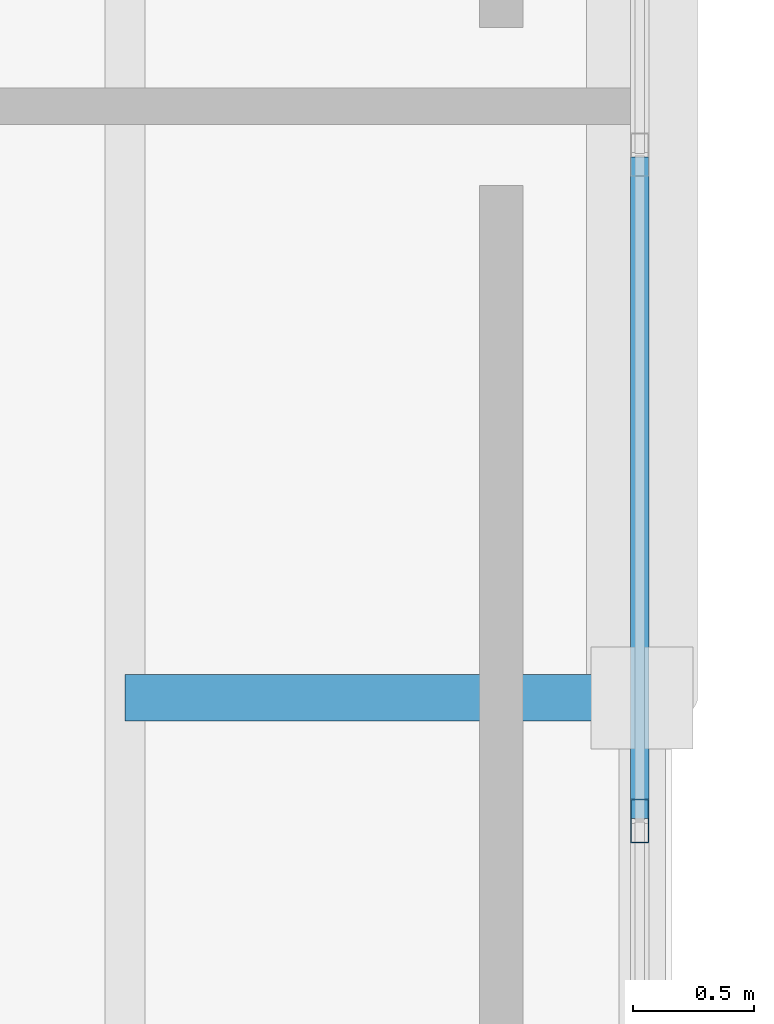
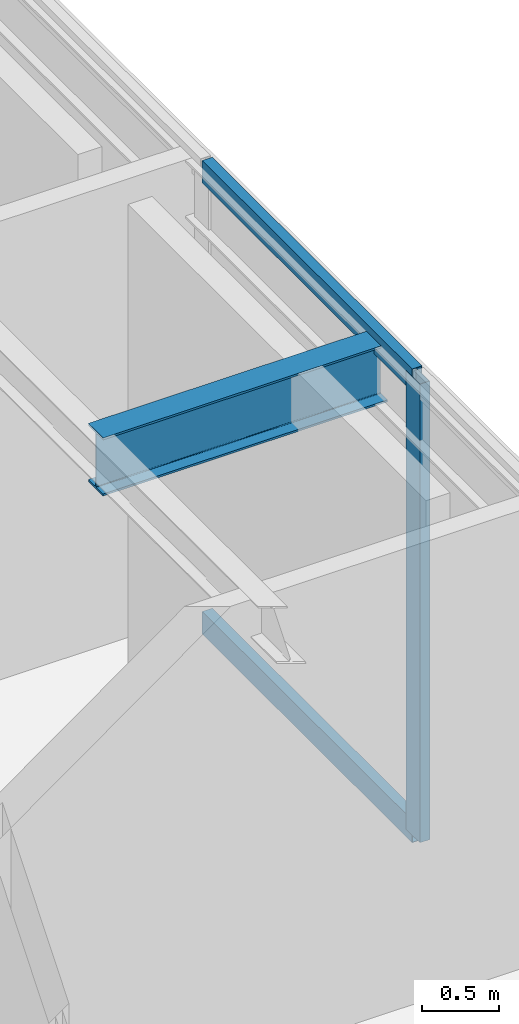
# One storey, part 6 of 18: 3 members, 1 beam, 1 element without a shape of its own.
"""IFC4 building model written with IfcOpenShell, lengths in metres."""

from ifc_helpers import new_model, si_unit, direction, frame, origin, origin_2d, place, context, subcontext, project, spatial, hollow_rectangle, i_section, extrude, material, material_profile, profile_set, type_object, element, aggregate, save


model = new_model("IFC4")

# Units and contexts
model_context = context("Model", 3, precision=1e-05, world=origin(), true_north=direction((0.0, 1.0)))
body_context = subcontext(model_context, "Body", "Model", "MODEL_VIEW")
ifc_project = project(units=[si_unit("LENGTHUNIT", "METRE"), si_unit("AREAUNIT", "SQUARE_METRE"), si_unit("VOLUMEUNIT", "CUBIC_METRE"), si_unit("PLANEANGLEUNIT", "RADIAN"), si_unit("MASSUNIT", "GRAM", prefix="KILO")], contexts=[model_context])

# Site, building, storey
site_placement = place(None, origin())
site = spatial("IfcSite", under=ifc_project, at=site_placement, CompositionType="ELEMENT")
building_placement = place(site_placement, origin())
building = spatial("IfcBuilding", under=site, at=building_placement, Name="Ventersveld Concourse Tower", CompositionType="ELEMENT")
storey_placement = place(building_placement, frame((0.0, 0.0, 341.35009765625)))
storey = spatial("IfcBuildingStorey", under=building, at=storey_placement, Name="L84", CompositionType="ELEMENT", Elevation=341.35009765625)

# Curtain wall, members
ifc_material_1 = material(Name="Anodised aluminium EN AW-6063-T6", Category="aluminium")
curtain_wall_type = type_object("IfcCurtainWallType", Name="CW-WP-5", PredefinedType="NOTDEFINED", material=ifc_material_1)
curtain_wall_placement = place(storey_placement, origin())
curtain_wall = element("IfcCurtainWall", 1, at=curtain_wall_placement, inside=storey, type_object=curtain_wall_type, Name="L84 L84 Wind Portal Aerodynamic Cheek Curtain Wall", PredefinedType="NOTDEFINED")
ifc_material_profile_1 = material_profile(ifc_material_1, hollow_rectangle(XDim=0.074951171875, YDim=0.179931640625, WallThickness=0.00390625, at=origin_2d()), Name="ALU 180x75x4")
ifc_profile_set_1 = profile_set([ifc_material_profile_1], Name="Anodised aluminium EN AW-6063-T6")
member_type_1 = type_object("IfcMemberType", Name="CWM-180x75", PredefinedType="MULLION", material=ifc_profile_set_1)
member_1_placement = place(storey_placement, frame((23.3701171875, 16.992919921875, 0.0), z_axis=(0.0, 0.0, 1.0), x_axis=(1.0, 0.0, 0.0)))
member_1 = element("IfcMember", 2, at=member_1_placement, type_object=member_type_1, Name="CW-L84-WP-W Mullion 02", PredefinedType="MULLION", context=body_context, shape_type="SweptSolid", body=[
    extrude(hollow_rectangle(XDim=0.074951171875, YDim=0.179931640625, WallThickness=0.00390625, at=origin_2d()), origin(), (0.0, 0.0, 1.0), 3.6298828125),
])
ifc_material_profile_2 = material_profile(ifc_material_1, hollow_rectangle(XDim=0.074951171875, YDim=0.179931640625, WallThickness=0.00390625, at=origin_2d()), Name="ALU 180x75x4")
ifc_profile_set_2 = profile_set([ifc_material_profile_2], Name="Anodised aluminium EN AW-6063-T6")
member_type_2 = type_object("IfcMemberType", Name="CWT-180x75", PredefinedType="USERDEFINED", material=ifc_profile_set_2)
member_2_placement = place(storey_placement, frame((23.3701171875, 17.0029296875, 0.02978515625), z_axis=(0.0, 1.0, 0.0), x_axis=(-1.0, 0.0, 0.0)))
member_2 = element("IfcMember", 3, at=member_2_placement, type_object=member_type_2, Name="CW-L84-WP-W Transom 1-02", ObjectType="TRANSOM", PredefinedType="USERDEFINED", context=body_context, shape_type="SweptSolid", body=[
    extrude(hollow_rectangle(XDim=0.074951171875, YDim=0.179931640625, WallThickness=0.00390625, at=origin_2d()), origin(), (0.0, 0.0, 1.0), 2.72314453125),
])
member_3_placement = place(storey_placement, frame((23.3701171875, 17.0029296875, 3.599853515625), z_axis=(0.0, 1.0, 0.0), x_axis=(-1.0, 0.0, 0.0)))
member_3 = element("IfcMember", 4, at=member_3_placement, type_object=member_type_2, Name="CW-L84-WP-W Transom 2-02", ObjectType="TRANSOM", PredefinedType="USERDEFINED", context=body_context, shape_type="SweptSolid", body=[
    extrude(hollow_rectangle(XDim=0.074951171875, YDim=0.179931640625, WallThickness=0.00390625, at=origin_2d()), origin(), (0.0, 0.0, 1.0), 2.72314453125),
])
aggregate(curtain_wall, [member_1, member_2, member_3])

# Beam
ifc_material_2 = material(Name="Structural steel S355J2", Category="steel")
ifc_material_profile_3 = material_profile(ifc_material_2, i_section(OverallWidth=0.19140625, OverallDepth=0.4599609375, WebThickness=0.010009765625, FlangeThickness=0.01611328125, FilletRadius=0.01025390625, at=origin_2d()), Name="UB 457x191x82")
ifc_profile_set_3 = profile_set([ifc_material_profile_3], Name="Structural steel S355J2")
beam_type = type_object("IfcBeamType", Name="SPD-UB457", PredefinedType="SPANDREL", material=ifc_profile_set_3)
beam_placement = place(storey_placement, frame((21.25, 17.5, 3.39990234375), z_axis=(1.0, 0.0, 0.0), x_axis=(0.0, 1.0, 0.0)))
element("IfcBeam", 5, at=beam_placement, inside=storey, type_object=beam_type, Name="L84 Wind Portal West Tie YM", PredefinedType="SPANDREL", context=body_context, shape_type="SweptSolid", body=[
    extrude(i_section(OverallWidth=0.19140625, OverallDepth=0.4599609375, WebThickness=0.010009765625, FlangeThickness=0.01611328125, FilletRadius=0.01025390625, at=origin_2d()), origin(), (0.0, 0.0, 1.0), 2.1298828125),
])

save(model, "model.ifc")
